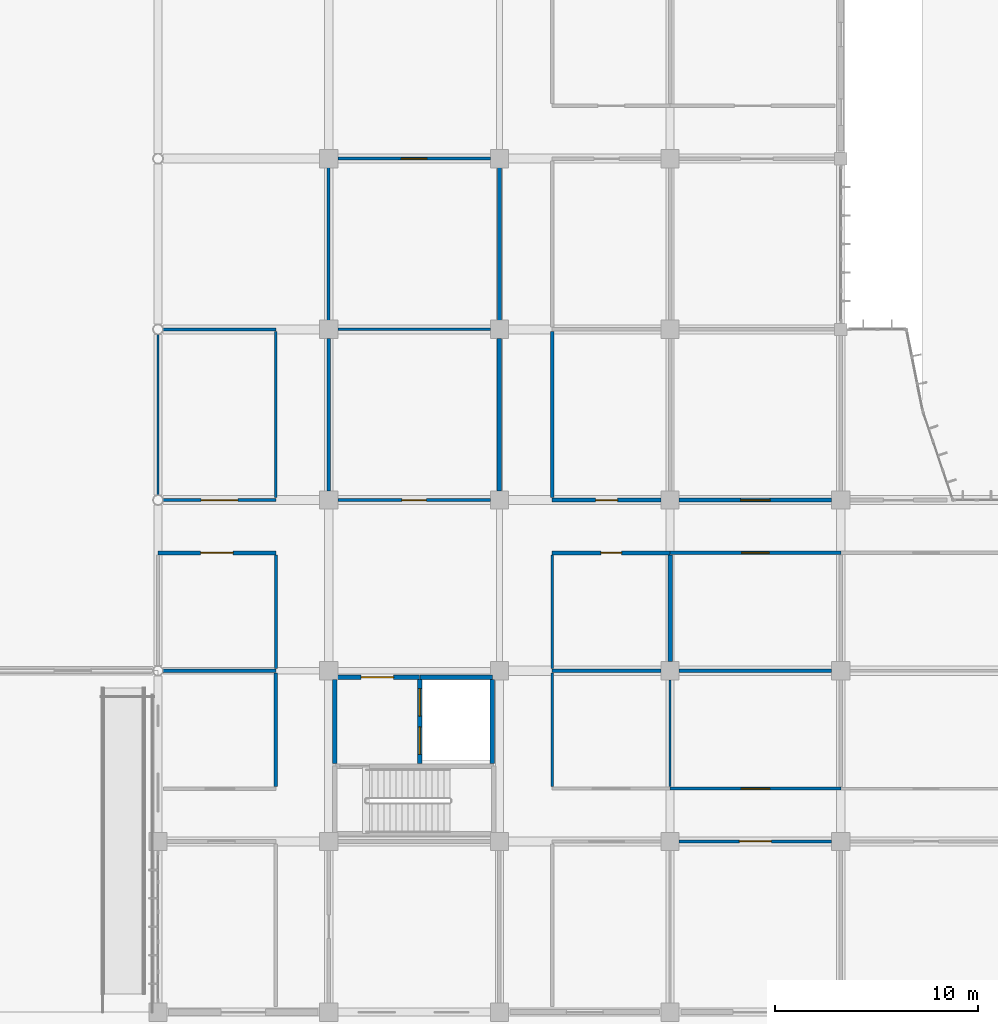
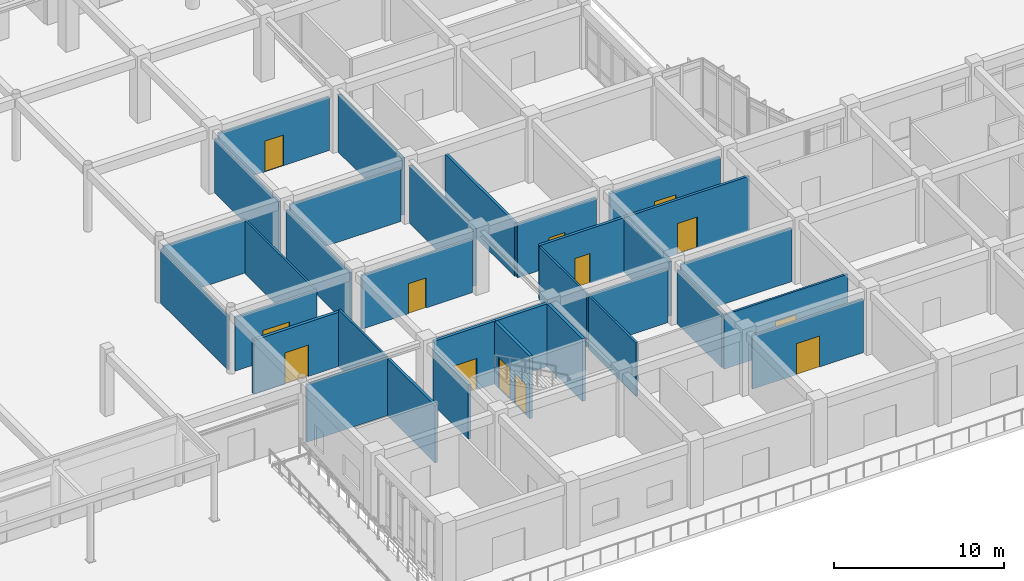
# One storey, part 95 of 138: 33 walls, 13 doors, 13 openings.
"""IFC4 building model written with IfcOpenShell, lengths in metres."""

from ifc_helpers import new_model, si_unit, direction, frame, frame_2d, origin, place, context, subcontext, project, spatial, rectangle, extrude, material, layer, layer_set, type_object, element, fill, save


model = new_model("IFC4")

# Units and contexts
model_context = context("Model", 3, precision=1e-05, world=origin(), true_north=direction((0.0, 1.0)))
body_context = subcontext(model_context, "Body", "Model", "MODEL_VIEW")
ifc_project = project(units=[si_unit("LENGTHUNIT", "METRE"), si_unit("AREAUNIT", "SQUARE_METRE"), si_unit("VOLUMEUNIT", "CUBIC_METRE"), si_unit("PLANEANGLEUNIT", "RADIAN"), si_unit("MASSUNIT", "GRAM", prefix="KILO")], contexts=[model_context])

# Site, building, storey
site_placement = place(None, origin())
site = spatial("IfcSite", under=ifc_project, at=site_placement, CompositionType="ELEMENT")
building_placement = place(site_placement, origin())
building = spatial("IfcBuilding", under=site, at=building_placement, Name="Bramfleet General Hospital", CompositionType="ELEMENT")
storey_placement = place(building_placement, origin())
storey = spatial("IfcBuildingStorey", under=building, at=storey_placement, Name="L00", CompositionType="ELEMENT", Elevation=0.0)

# Walls
ifc_material_1 = material(Name="Concrete C35/45", Category="concrete")
ifc_layer_1 = layer(ifc_material_1, 0.219970703125, Name="WT-IW-01")
ifc_layer_set_1 = layer_set([ifc_layer_1], Name="Concrete C35/45")
wall_type_1 = type_object("IfcWallType", Name="WT-IW-01", PredefinedType="PARTITIONING", material=ifc_layer_set_1)
wall_1_placement = place(storey_placement, frame((109.199951171875, 25.64501953125, 0.0), z_axis=(0.0, 0.0, 1.0), x_axis=(0.0, 1.0, 0.0)))
element("IfcWall", 1, at=wall_1_placement, inside=storey, type_object=wall_type_1, Name="L00 Interior Partition IW-L00-1093", PredefinedType="PARTITIONING", context=body_context, shape_type="SweptSolid", body=[
    extrude(rectangle(XDim=7.510009765625, YDim=0.219970703125, at=frame_2d((3.7548828125, 0.0))), origin(), (0.0, 0.0, 1.0), 4.090087890625),
])
wall_2_placement = place(storey_placement, frame((117.60009765625, 17.2451171875, 0.0), z_axis=(0.0, 0.0, 1.0), x_axis=(0.0, 1.0, 0.0)))
element("IfcWall", 2, at=wall_2_placement, inside=storey, type_object=wall_type_1, Name="L00 Interior Partition IW-L00-1117", PredefinedType="PARTITIONING", context=body_context, shape_type="SweptSolid", body=[
    extrude(rectangle(XDim=5.239990234375, YDim=0.219970703125, at=frame_2d((2.6201171875, 0.0))), origin(), (0.0, 0.0, 1.0), 3.889892578125),
])

# Wall, openings, doors
ifc_layer_2 = layer(ifc_material_1, 0.205078125, Name="WT-IW-02")
ifc_layer_set_2 = layer_set([ifc_layer_2], Name="Concrete C35/45")
wall_type_2 = type_object("IfcWallType", Name="WT-IW-02", PredefinedType="PARTITIONING", material=ifc_layer_set_2)
wall_3_placement = place(storey_placement, frame((105.280029296875, 12.239990234375, 0.0), z_axis=(0.0, 0.0, 1.0), x_axis=(0.0, 1.0, 0.0)))
wall_3 = element("IfcWall", 3, at=wall_3_placement, inside=storey, type_object=wall_type_2, Name="L00 C3 Lobby East Shaft Wall", PredefinedType="PARTITIONING", context=body_context, shape_type="SweptSolid", body=[
    extrude(rectangle(XDim=4.1201171875, YDim=0.205078125, at=frame_2d((2.06005859375, 0.0))), origin(), (0.0, 0.0, 1.0), 4.489990234375),
])
opening_1_placement = place(wall_3_placement, frame((0.445068359375, 0.0, 0.0)))
opening_1 = element("IfcOpeningElement", 4, at=opening_1_placement, cuts=wall_3, Name="Opening LD-FL-01-L00", PredefinedType="OPENING", context=body_context, shape_type="SweptSolid", body=[
    extrude(rectangle(XDim=1.35009765625, YDim=2.199951171875, at=frame_2d((0.675048828125, 1.10009765625))), frame((0.0, 0.112548828125, 0.0), z_axis=(0.0, -1.0, 0.0), x_axis=(1.0, 0.0, 0.0)), (0.0, 0.0, 1.0), 0.22509765625),
])
opening_2_placement = place(wall_3_placement, frame((2.324951171875, 0.0, 0.0)))
opening_2 = element("IfcOpeningElement", 5, at=opening_2_placement, cuts=wall_3, Name="Opening LD-BL-03-L00", PredefinedType="OPENING", context=body_context, shape_type="SweptSolid", body=[
    extrude(rectangle(XDim=1.35009765625, YDim=2.199951171875, at=frame_2d((0.675048828125, 1.10009765625))), frame((0.0, 0.112548828125, 0.0), z_axis=(0.0, -1.0, 0.0), x_axis=(1.0, 0.0, 0.0)), (0.0, 0.0, 1.0), 0.22509765625),
])
ifc_material_2 = material(Name="Brushed stainless steel 1.4301", Category="steel")
door_type_1 = type_object("IfcDoorType", Name="DR-LD-01", OperationType="NOTDEFINED", PredefinedType="DOOR", material=ifc_material_2)
door_1_placement = place(opening_1_placement, origin())
door_1 = element("IfcDoor", 6, at=door_1_placement, inside=storey, type_object=door_type_1, Name="L00 Lift FL-01 Sliding Landing Door", OperationType="SLIDING_TO_LEFT", OverallHeight=2.199951171875, OverallWidth=1.35009765625, PredefinedType="DOOR", context=body_context, shape_type="SweptSolid", body=[
    extrude(rectangle(XDim=1.35009765625, YDim=2.199951171875, at=frame_2d((0.675048828125, 1.10009765625))), frame((0.0, 0.02490234375, 0.0), z_axis=(0.0, -1.0, 0.0), x_axis=(1.0, 0.0, 0.0)), (0.0, 0.0, 1.0), 0.050048828125),
])
fill(opening_1, door_1)
door_2_placement = place(opening_2_placement, origin())
door_2 = element("IfcDoor", 7, at=door_2_placement, inside=storey, type_object=door_type_1, Name="L00 Lift BL-03 Sliding Landing Door", OperationType="SLIDING_TO_LEFT", OverallHeight=2.199951171875, OverallWidth=1.35009765625, PredefinedType="DOOR", context=body_context, shape_type="SweptSolid", body=[
    extrude(rectangle(XDim=1.35009765625, YDim=2.199951171875, at=frame_2d((0.675048828125, 1.10009765625))), frame((0.0, 0.02490234375, 0.0), z_axis=(0.0, -1.0, 0.0), x_axis=(1.0, 0.0, 0.0)), (0.0, 0.0, 1.0), 0.050048828125),
])
fill(opening_2, door_2)

# Walls
wall_4_placement = place(storey_placement, frame((108.85009765625, 12.239990234375, 0.0), z_axis=(0.0, 0.0, 1.0), x_axis=(0.0, 1.0, 0.0)))
element("IfcWall", 8, at=wall_4_placement, inside=storey, type_object=wall_type_2, Name="L00 C3 Lift Shaft East Wall", PredefinedType="PARTITIONING", context=body_context, shape_type="SweptSolid", body=[
    extrude(rectangle(XDim=4.1201171875, YDim=0.205078125, at=frame_2d((2.06005859375, 0.0))), origin(), (0.0, 0.0, 1.0), 4.489990234375),
])
wall_5_placement = place(storey_placement, frame((105.280029296875, 16.47998046875, 0.0), z_axis=(0.0, 0.0, 1.0), x_axis=(1.0, 0.0, 0.0)))
element("IfcWall", 9, at=wall_5_placement, inside=storey, type_object=wall_type_2, Name="L00 C3 Lift Shaft North Wall", PredefinedType="PARTITIONING", context=body_context, shape_type="SweptSolid", body=[
    extrude(rectangle(XDim=3.570068359375, YDim=0.205078125, at=frame_2d((1.78515625, 0.0))), origin(), (0.0, 0.0, 1.0), 4.489990234375),
])
wall_6_placement = place(storey_placement, frame((101.10009765625, 12.239990234375, 0.0), z_axis=(0.0, 0.0, 1.0), x_axis=(0.0, 1.0, 0.0)))
element("IfcWall", 10, at=wall_6_placement, inside=storey, type_object=wall_type_2, Name="L00 C3 Lobby West Compartment Wall", PredefinedType="PARTITIONING", context=body_context, shape_type="SweptSolid", body=[
    extrude(rectangle(XDim=4.1201171875, YDim=0.205078125, at=frame_2d((2.06005859375, 0.0))), origin(), (0.0, 0.0, 1.0), 3.889892578125),
])

# Wall, opening, door
wall_7_placement = place(storey_placement, frame((101.10009765625, 16.47998046875, 0.0), z_axis=(0.0, 0.0, 1.0), x_axis=(1.0, 0.0, 0.0)))
wall_7 = element("IfcWall", 11, at=wall_7_placement, inside=storey, type_object=wall_type_2, Name="L00 C3 Lobby North Compartment Wall", PredefinedType="PARTITIONING", context=body_context, shape_type="SweptSolid", body=[
    extrude(rectangle(XDim=4.179931640625, YDim=0.205078125, at=frame_2d((2.08984375, 0.0))), origin(), (0.0, 0.0, 1.0), 4.489990234375),
])
opening_3_placement = place(wall_7_placement, frame((1.2900390625, 0.0, 0.0)))
opening_3 = element("IfcOpeningElement", 12, at=opening_3_placement, cuts=wall_7, Name="Opening D0022", PredefinedType="OPENING", context=body_context, shape_type="SweptSolid", body=[
    extrude(rectangle(XDim=1.60009765625, YDim=2.25, at=frame_2d((0.800048828125, 1.125))), frame((0.0, 0.112548828125, 0.0), z_axis=(0.0, -1.0, 0.0), x_axis=(1.0, 0.0, 0.0)), (0.0, 0.0, 1.0), 0.22509765625),
])
ifc_material_3 = material(Name="Stainless steel and acoustic timber leaf", Category="steel")
door_type_2 = type_object("IfcDoorType", Name="DR-D-04", OperationType="NOTDEFINED", PredefinedType="DOOR", material=ifc_material_3)
door_3_placement = place(opening_3_placement, origin())
door_3 = element("IfcDoor", 13, at=door_3_placement, inside=storey, type_object=door_type_2, Name="L00 C3 Lobby Fire Door D0022", OperationType="DOUBLE_SWING_LEFT", OverallHeight=2.25, OverallWidth=1.60009765625, PredefinedType="DOOR", context=body_context, shape_type="SweptSolid", body=[
    extrude(rectangle(XDim=1.60009765625, YDim=2.25, at=frame_2d((0.800048828125, 1.125))), frame((0.0, 0.02490234375, 0.0), z_axis=(0.0, -1.0, 0.0), x_axis=(1.0, 0.0, 0.0)), (0.0, 0.0, 1.0), 0.050048828125),
])
fill(opening_3, door_3)

wall_8_placement = place(storey_placement, frame((92.39990234375, 22.60009765625, 0.0), z_axis=(0.0, 0.0, 1.0), x_axis=(1.0, 0.0, 0.0)))
wall_8 = element("IfcWall", 14, at=wall_8_placement, inside=storey, type_object=wall_type_2, Name="L00 Interior Partition IW-L00-0650", PredefinedType="PARTITIONING", context=body_context, shape_type="SweptSolid", body=[
    extrude(rectangle(XDim=5.800048828125, YDim=0.205078125, at=frame_2d((2.89990234375, 0.0))), origin(), (0.0, 0.0, 1.0), 3.889892578125),
])
opening_4_placement = place(wall_8_placement, frame((2.10009765625, 0.0, 0.0)))
opening_4 = element("IfcOpeningElement", 15, at=opening_4_placement, cuts=wall_8, Name="Opening D0516", PredefinedType="OPENING", context=body_context, shape_type="SweptSolid", body=[
    extrude(rectangle(XDim=1.60009765625, YDim=2.25, at=frame_2d((0.800048828125, 1.125))), frame((0.0, 0.112548828125, 0.0), z_axis=(0.0, -1.0, 0.0), x_axis=(1.0, 0.0, 0.0)), (0.0, 0.0, 1.0), 0.22509765625),
])
door_4_placement = place(opening_4_placement, origin())
door_4 = element("IfcDoor", 16, at=door_4_placement, inside=storey, type_object=door_type_2, Name="Hospital Cafe and Garden Dining 1102 Door D0516", OperationType="DOUBLE_SWING_LEFT", OverallHeight=2.25, OverallWidth=1.60009765625, PredefinedType="DOOR", context=body_context, shape_type="SweptSolid", body=[
    extrude(rectangle(XDim=1.60009765625, YDim=2.25, at=frame_2d((0.800048828125, 1.125))), frame((0.0, 0.02490234375, 0.0), z_axis=(0.0, -1.0, 0.0), x_axis=(1.0, 0.0, 0.0)), (0.0, 0.0, 1.0), 0.050048828125),
])
fill(opening_4, door_4)

# Wall
wall_9_placement = place(storey_placement, frame((109.199951171875, 34.044921875, 0.0), z_axis=(0.0, 0.0, 1.0), x_axis=(0.0, 1.0, 0.0)))
element("IfcWall", 17, at=wall_9_placement, inside=storey, type_object=wall_type_2, Name="L00 Interior Partition IW-L00-1094", PredefinedType="PARTITIONING", context=body_context, shape_type="SweptSolid", body=[
    extrude(rectangle(XDim=7.510009765625, YDim=0.205078125, at=frame_2d((3.7548828125, 0.0))), origin(), (0.0, 0.0, 1.0), 4.090087890625),
])

# Wall, opening, door
ifc_layer_3 = layer(ifc_material_1, 0.18994140625, Name="WT-IW-03")
ifc_layer_set_3 = layer_set([ifc_layer_3], Name="Concrete C35/45")
wall_type_3 = type_object("IfcWallType", Name="WT-IW-03", PredefinedType="PARTITIONING", material=ifc_layer_set_3)
wall_10_placement = place(storey_placement, frame((111.800048828125, 22.60009765625, 0.0), z_axis=(0.0, 0.0, 1.0), x_axis=(1.0, 0.0, 0.0)))
wall_10 = element("IfcWall", 18, at=wall_10_placement, inside=storey, type_object=wall_type_3, Name="L00 Interior Partition IW-L00-0651", PredefinedType="PARTITIONING", context=body_context, shape_type="SweptSolid", body=[
    extrude(rectangle(XDim=5.800048828125, YDim=0.18994140625, at=frame_2d((2.89990234375, 0.0))), origin(), (0.0, 0.0, 1.0), 3.889892578125),
])
opening_5_placement = place(wall_10_placement, frame((2.389892578125, 0.0, 0.0)))
opening_5 = element("IfcOpeningElement", 19, at=opening_5_placement, cuts=wall_10, Name="Opening D0533", PredefinedType="OPENING", context=body_context, shape_type="SweptSolid", body=[
    extrude(rectangle(XDim=1.02001953125, YDim=2.1201171875, at=frame_2d((0.510009765625, 1.06005859375))), frame((0.0, 0.10498046875, 0.0), z_axis=(0.0, -1.0, 0.0), x_axis=(1.0, 0.0, 0.0)), (0.0, 0.0, 1.0), 0.2099609375),
])
door_type_3 = type_object("IfcDoorType", Name="DR-D-21", OperationType="NOTDEFINED", PredefinedType="DOOR", material=ifc_material_3)
door_5_placement = place(opening_5_placement, origin())
door_5 = element("IfcDoor", 20, at=door_5_placement, inside=storey, type_object=door_type_3, Name="Outpatient Clinic Room L00-1302 Door D0533", OperationType="SINGLE_SWING_RIGHT", OverallHeight=2.1201171875, OverallWidth=1.02001953125, PredefinedType="DOOR", context=body_context, shape_type="SweptSolid", body=[
    extrude(rectangle(XDim=1.02001953125, YDim=2.1201171875, at=frame_2d((0.510009765625, 1.06005859375))), frame((0.0, 0.02490234375, 0.0), z_axis=(0.0, -1.0, 0.0), x_axis=(1.0, 0.0, 0.0)), (0.0, 0.0, 1.0), 0.050048828125),
])
fill(opening_5, door_5)

# Wall
ifc_layer_4 = layer(ifc_material_1, 0.179931640625, Name="WT-IW-04")
ifc_layer_set_4 = layer_set([ifc_layer_4], Name="Concrete C35/45")
wall_type_4 = type_object("IfcWallType", Name="WT-IW-04", PredefinedType="PARTITIONING", material=ifc_layer_set_4)
wall_11_placement = place(storey_placement, frame((92.64892578125, 16.800048828125, 0.0), z_axis=(0.0, 0.0, 1.0), x_axis=(1.0, 0.0, 0.0)))
element("IfcWall", 21, at=wall_11_placement, inside=storey, type_object=wall_type_4, Name="L00 Interior Partition IW-L00-0629", PredefinedType="PARTITIONING", context=body_context, shape_type="SweptSolid", body=[
    extrude(rectangle(XDim=5.551025390625, YDim=0.179931640625, at=frame_2d((2.775390625, 0.0))), origin(), (0.0, 0.0, 1.0), 4.10009765625),
])

# Wall, opening, door
wall_12_placement = place(storey_placement, frame((117.60009765625, 22.60009765625, 0.0), z_axis=(0.0, 0.0, 1.0), x_axis=(1.0, 0.0, 0.0)))
wall_12 = element("IfcWall", 22, at=wall_12_placement, inside=storey, type_object=wall_type_4, Name="L00 Interior Partition IW-L00-0652", PredefinedType="PARTITIONING", context=body_context, shape_type="SweptSolid", body=[
    extrude(rectangle(XDim=8.39990234375, YDim=0.179931640625, at=frame_2d((4.199951171875, 0.0))), origin(), (0.0, 0.0, 1.0), 3.889892578125),
])
opening_6_placement = place(wall_12_placement, frame((3.52490234375, 0.0, 0.0)))
opening_6 = element("IfcOpeningElement", 23, at=opening_6_placement, cuts=wall_12, Name="Opening D0546", PredefinedType="OPENING", context=body_context, shape_type="SweptSolid", body=[
    extrude(rectangle(XDim=1.35009765625, YDim=2.199951171875, at=frame_2d((0.675048828125, 1.10009765625))), frame((0.0, 0.099853515625, 0.0), z_axis=(0.0, -1.0, 0.0), x_axis=(1.0, 0.0, 0.0)), (0.0, 0.0, 1.0), 0.199951171875),
])
door_type_4 = type_object("IfcDoorType", Name="DR-D-02", OperationType="NOTDEFINED", PredefinedType="DOOR", material=ifc_material_3)
door_6_placement = place(opening_6_placement, origin())
door_6 = element("IfcDoor", 24, at=door_6_placement, inside=storey, type_object=door_type_4, Name="Outpatient Clinic Room L00-1402 Door D0546", OperationType="SINGLE_SWING_LEFT", OverallHeight=2.199951171875, OverallWidth=1.35009765625, PredefinedType="DOOR", context=body_context, shape_type="SweptSolid", body=[
    extrude(rectangle(XDim=1.35009765625, YDim=2.199951171875, at=frame_2d((0.675048828125, 1.10009765625))), frame((0.0, 0.02490234375, 0.0), z_axis=(0.0, -1.0, 0.0), x_axis=(1.0, 0.0, 0.0)), (0.0, 0.0, 1.0), 0.050048828125),
])
fill(opening_6, door_6)

wall_13_placement = place(storey_placement, frame((111.800048828125, 25.199951171875, 0.0), z_axis=(0.0, 0.0, 1.0), x_axis=(1.0, 0.0, 0.0)))
wall_13 = element("IfcWall", 25, at=wall_13_placement, inside=storey, type_object=wall_type_4, Name="L00 Interior Partition IW-L00-0668", PredefinedType="PARTITIONING", context=body_context, shape_type="SweptSolid", body=[
    extrude(rectangle(XDim=5.35498046875, YDim=0.179931640625, at=frame_2d((2.677490234375, 0.0))), origin(), (0.0, 0.0, 1.0), 3.840087890625),
])
opening_7_placement = place(wall_13_placement, frame((2.137451171875, 0.0, 0.0)))
opening_7 = element("IfcOpeningElement", 26, at=opening_7_placement, cuts=wall_13, Name="Opening D0534", PredefinedType="OPENING", context=body_context, shape_type="SweptSolid", body=[
    extrude(rectangle(XDim=1.080078125, YDim=2.1201171875, at=frame_2d((0.5400390625, 1.06005859375))), frame((0.0, 0.099853515625, 0.0), z_axis=(0.0, -1.0, 0.0), x_axis=(1.0, 0.0, 0.0)), (0.0, 0.0, 1.0), 0.199951171875),
])
door_type_5 = type_object("IfcDoorType", Name="DR-D-22", OperationType="NOTDEFINED", PredefinedType="DOOR", material=ifc_material_3)
door_7_placement = place(opening_7_placement, origin())
door_7 = element("IfcDoor", 27, at=door_7_placement, inside=storey, type_object=door_type_5, Name="Diagnostic Ultrasound and Fluoroscopy 1303 Door D0534", OperationType="SINGLE_SWING_LEFT", OverallHeight=2.1201171875, OverallWidth=1.080078125, PredefinedType="DOOR", context=body_context, shape_type="SweptSolid", body=[
    extrude(rectangle(XDim=1.080078125, YDim=2.1201171875, at=frame_2d((0.5400390625, 1.06005859375))), frame((0.0, 0.02490234375, 0.0), z_axis=(0.0, -1.0, 0.0), x_axis=(1.0, 0.0, 0.0)), (0.0, 0.0, 1.0), 0.050048828125),
])
fill(opening_7, door_7)

wall_14_placement = place(storey_placement, frame((118.044921875, 25.199951171875, 0.0), z_axis=(0.0, 0.0, 1.0), x_axis=(1.0, 0.0, 0.0)))
wall_14 = element("IfcWall", 28, at=wall_14_placement, inside=storey, type_object=wall_type_4, Name="L00 Interior Partition IW-L00-0669", PredefinedType="PARTITIONING", context=body_context, shape_type="SweptSolid", body=[
    extrude(rectangle(XDim=7.510009765625, YDim=0.179931640625, at=frame_2d((3.7548828125, 0.0))), origin(), (0.0, 0.0, 1.0), 3.840087890625),
])
opening_8_placement = place(wall_14_placement, frame((3.030029296875, 0.0, 0.0)))
opening_8 = element("IfcOpeningElement", 29, at=opening_8_placement, cuts=wall_14, Name="Opening D0547", PredefinedType="OPENING", context=body_context, shape_type="SweptSolid", body=[
    extrude(rectangle(XDim=1.449951171875, YDim=2.199951171875, at=frame_2d((0.72509765625, 1.10009765625))), frame((0.0, 0.099853515625, 0.0), z_axis=(0.0, -1.0, 0.0), x_axis=(1.0, 0.0, 0.0)), (0.0, 0.0, 1.0), 0.199951171875),
])
door_type_6 = type_object("IfcDoorType", Name="DR-D-03", OperationType="NOTDEFINED", PredefinedType="DOOR", material=ifc_material_3)
door_8_placement = place(opening_8_placement, origin())
door_8 = element("IfcDoor", 30, at=door_8_placement, inside=storey, type_object=door_type_6, Name="Diagnostic Ultrasound and Fluoroscopy 1403 Door D0547", OperationType="SINGLE_SWING_RIGHT", OverallHeight=2.199951171875, OverallWidth=1.449951171875, PredefinedType="DOOR", context=body_context, shape_type="SweptSolid", body=[
    extrude(rectangle(XDim=1.449951171875, YDim=2.199951171875, at=frame_2d((0.72509765625, 1.10009765625))), frame((0.0, 0.02490234375, 0.0), z_axis=(0.0, -1.0, 0.0), x_axis=(1.0, 0.0, 0.0)), (0.0, 0.0, 1.0), 0.050048828125),
])
fill(opening_8, door_8)

# Walls
wall_15_placement = place(storey_placement, frame((98.199951171875, 11.114990234375, 0.0), z_axis=(0.0, 0.0, 1.0), x_axis=(0.0, 1.0, 0.0)))
element("IfcWall", 31, at=wall_15_placement, inside=storey, type_object=wall_type_4, Name="L00 Interior Partition IW-L00-1075", PredefinedType="PARTITIONING", context=body_context, shape_type="SweptSolid", body=[
    extrude(rectangle(XDim=5.570068359375, YDim=0.179931640625, at=frame_2d((2.78515625, 0.0))), origin(), (0.0, 0.0, 1.0), 4.10009765625),
])
wall_16_placement = place(storey_placement, frame((111.800048828125, 25.31494140625, 0.0), z_axis=(0.0, 0.0, 1.0), x_axis=(0.0, 1.0, 0.0)))
element("IfcWall", 32, at=wall_16_placement, inside=storey, type_object=wall_type_4, Name="L00 Interior Partition IW-L00-1102", PredefinedType="PARTITIONING", context=body_context, shape_type="SweptSolid", body=[
    extrude(rectangle(XDim=8.170166015625, YDim=0.179931640625, at=frame_2d((4.0849609375, 0.0))), origin(), (0.0, 0.0, 1.0), 3.840087890625),
])
ifc_material_4 = material(Name="Gypsum plasterboard on acoustic steel studs", Category="steel")
ifc_layer_5 = layer(ifc_material_4, 0.159912109375, Name="WT-IW-06")
ifc_layer_set_5 = layer_set([ifc_layer_5], Name="Gypsum plasterboard on acoustic steel studs")
wall_type_5 = type_object("IfcWallType", Name="WT-IW-06", PredefinedType="PARTITIONING", material=ifc_layer_set_5)
wall_17_placement = place(storey_placement, frame((111.800048828125, 16.800048828125, 0.0), z_axis=(0.0, 0.0, 1.0), x_axis=(1.0, 0.0, 0.0)))
element("IfcWall", 33, at=wall_17_placement, inside=storey, type_object=wall_type_5, Name="L00 Interior Partition IW-L00-0630", PredefinedType="PARTITIONING", context=body_context, shape_type="SweptSolid", body=[
    extrude(rectangle(XDim=5.35498046875, YDim=0.159912109375, at=frame_2d((2.677490234375, 0.0))), origin(), (0.0, 0.0, 1.0), 3.840087890625),
])

# Wall, opening, door
wall_18_placement = place(storey_placement, frame((92.64892578125, 25.199951171875, 0.0), z_axis=(0.0, 0.0, 1.0), x_axis=(1.0, 0.0, 0.0)))
wall_18 = element("IfcWall", 34, at=wall_18_placement, inside=storey, type_object=wall_type_5, Name="L00 Interior Partition IW-L00-0666", PredefinedType="PARTITIONING", context=body_context, shape_type="SweptSolid", body=[
    extrude(rectangle(XDim=5.551025390625, YDim=0.159912109375, at=frame_2d((2.775390625, 0.0))), origin(), (0.0, 0.0, 1.0), 3.840087890625),
])
opening_9_placement = place(wall_18_placement, frame((1.87548828125, 0.0, 0.0)))
opening_9 = element("IfcOpeningElement", 35, at=opening_9_placement, cuts=wall_18, Name="Opening D0517", PredefinedType="OPENING", context=body_context, shape_type="SweptSolid", body=[
    extrude(rectangle(XDim=1.800048828125, YDim=2.25, at=frame_2d((0.89990234375, 1.125))), frame((0.0, 0.08984375, 0.0), z_axis=(0.0, -1.0, 0.0), x_axis=(1.0, 0.0, 0.0)), (0.0, 0.0, 1.0), 0.179931640625),
])
door_type_7 = type_object("IfcDoorType", Name="DR-D-05", OperationType="NOTDEFINED", PredefinedType="DOOR", material=ifc_material_3)
door_9_placement = place(opening_9_placement, origin())
door_9 = element("IfcDoor", 36, at=door_9_placement, inside=storey, type_object=door_type_7, Name="Hospital Cafe and Garden Dining 1103 Door D0517", OperationType="DOUBLE_SWING_RIGHT", OverallHeight=2.25, OverallWidth=1.800048828125, PredefinedType="DOOR", context=body_context, shape_type="SweptSolid", body=[
    extrude(rectangle(XDim=1.800048828125, YDim=2.25, at=frame_2d((0.89990234375, 1.125))), frame((0.0, 0.02490234375, 0.0), z_axis=(0.0, -1.0, 0.0), x_axis=(1.0, 0.0, 0.0)), (0.0, 0.0, 1.0), 0.050048828125),
])
fill(opening_9, door_9)

# Walls
wall_19_placement = place(storey_placement, frame((100.800048828125, 25.64501953125, 0.0), z_axis=(0.0, 0.0, 1.0), x_axis=(0.0, 1.0, 0.0)))
element("IfcWall", 37, at=wall_19_placement, inside=storey, type_object=wall_type_5, Name="L00 Interior Partition IW-L00-1086", PredefinedType="PARTITIONING", context=body_context, shape_type="SweptSolid", body=[
    extrude(rectangle(XDim=7.510009765625, YDim=0.159912109375, at=frame_2d((3.7548828125, 0.0))), origin(), (0.0, 0.0, 1.0), 3.889892578125),
])
ifc_layer_6 = layer(ifc_material_4, 0.14990234375, Name="WT-IW-07")
ifc_layer_set_6 = layer_set([ifc_layer_6], Name="Gypsum plasterboard on acoustic steel studs")
wall_type_6 = type_object("IfcWallType", Name="WT-IW-07", PredefinedType="PARTITIONING", material=ifc_layer_set_6)
wall_20_placement = place(storey_placement, frame((118.044921875, 16.800048828125, 0.0), z_axis=(0.0, 0.0, 1.0), x_axis=(1.0, 0.0, 0.0)))
element("IfcWall", 38, at=wall_20_placement, inside=storey, type_object=wall_type_6, Name="L00 Interior Partition IW-L00-0631", PredefinedType="PARTITIONING", context=body_context, shape_type="SweptSolid", body=[
    extrude(rectangle(XDim=7.510009765625, YDim=0.14990234375, at=frame_2d((3.7548828125, 0.0))), origin(), (0.0, 0.0, 1.0), 3.840087890625),
])

# Wall, opening, door
wall_21_placement = place(storey_placement, frame((101.2451171875, 25.199951171875, 0.0), z_axis=(0.0, 0.0, 1.0), x_axis=(1.0, 0.0, 0.0)))
wall_21 = element("IfcWall", 39, at=wall_21_placement, inside=storey, type_object=wall_type_6, Name="L00 Interior Partition IW-L00-0667", PredefinedType="PARTITIONING", context=body_context, shape_type="SweptSolid", body=[
    extrude(rectangle(XDim=7.509765625, YDim=0.14990234375, at=frame_2d((3.7548828125, 0.0))), origin(), (0.0, 0.0, 1.0), 3.840087890625),
])
opening_10_placement = place(wall_21_placement, frame((3.155029296875, 0.0, 0.0)))
opening_10 = element("IfcOpeningElement", 40, at=opening_10_placement, cuts=wall_21, Name="Opening D0525", PredefinedType="OPENING", context=body_context, shape_type="SweptSolid", body=[
    extrude(rectangle(XDim=1.199951171875, YDim=2.14990234375, at=frame_2d((0.60009765625, 1.074951171875))), frame((0.0, 0.0849609375, 0.0), z_axis=(0.0, -1.0, 0.0), x_axis=(1.0, 0.0, 0.0)), (0.0, 0.0, 1.0), 0.169921875),
])
door_type_8 = type_object("IfcDoorType", Name="DR-D-13", OperationType="NOTDEFINED", PredefinedType="DOOR", material=ifc_material_3)
door_10_placement = place(opening_10_placement, origin())
door_10 = element("IfcDoor", 41, at=door_10_placement, inside=storey, type_object=door_type_8, Name="Hospital Cafe and Garden Dining 1203 Door D0525", OperationType="SINGLE_SWING_RIGHT", OverallHeight=2.14990234375, OverallWidth=1.199951171875, PredefinedType="DOOR", context=body_context, shape_type="SweptSolid", body=[
    extrude(rectangle(XDim=1.199951171875, YDim=2.14990234375, at=frame_2d((0.60009765625, 1.074951171875))), frame((0.0, 0.02490234375, 0.0), z_axis=(0.0, -1.0, 0.0), x_axis=(1.0, 0.0, 0.0)), (0.0, 0.0, 1.0), 0.050048828125),
])
fill(opening_10, door_10)

wall_22_placement = place(storey_placement, frame((101.2451171875, 42.0, 0.0), z_axis=(0.0, 0.0, 1.0), x_axis=(1.0, 0.0, 0.0)))
wall_22 = element("IfcWall", 42, at=wall_22_placement, inside=storey, type_object=wall_type_6, Name="L00 Interior Partition IW-L00-0691", PredefinedType="PARTITIONING", context=body_context, shape_type="SweptSolid", body=[
    extrude(rectangle(XDim=7.509765625, YDim=0.14990234375, at=frame_2d((3.7548828125, 0.0))), origin(), (0.0, 0.0, 1.0), 3.840087890625),
])
opening_11_placement = place(wall_22_placement, frame((3.1298828125, 0.0, 0.0)))
opening_11 = element("IfcOpeningElement", 43, at=opening_11_placement, cuts=wall_22, Name="Opening D0526", PredefinedType="OPENING", context=body_context, shape_type="SweptSolid", body=[
    extrude(rectangle(XDim=1.25, YDim=2.199951171875, at=frame_2d((0.625, 1.10009765625))), frame((0.0, 0.0849609375, 0.0), z_axis=(0.0, -1.0, 0.0), x_axis=(1.0, 0.0, 0.0)), (0.0, 0.0, 1.0), 0.169921875),
])
door_type_9 = type_object("IfcDoorType", Name="DR-D-14", OperationType="NOTDEFINED", PredefinedType="DOOR", material=ifc_material_3)
door_11_placement = place(opening_11_placement, origin())
door_11 = element("IfcDoor", 44, at=door_11_placement, inside=storey, type_object=door_type_9, Name="Hospital Pharmacy Counter and Visitors' Shop Door D0526", OperationType="SINGLE_SWING_LEFT", OverallHeight=2.199951171875, OverallWidth=1.25, PredefinedType="DOOR", context=body_context, shape_type="SweptSolid", body=[
    extrude(rectangle(XDim=1.25, YDim=2.199951171875, at=frame_2d((0.625, 1.10009765625))), frame((0.0, 0.02490234375, 0.0), z_axis=(0.0, -1.0, 0.0), x_axis=(1.0, 0.0, 0.0)), (0.0, 0.0, 1.0), 0.050048828125),
])
fill(opening_11, door_11)

# Wall
wall_23_placement = place(storey_placement, frame((100.800048828125, 34.044921875, 0.0), z_axis=(0.0, 0.0, 1.0), x_axis=(0.0, 1.0, 0.0)))
element("IfcWall", 45, at=wall_23_placement, inside=storey, type_object=wall_type_6, Name="L00 Interior Partition IW-L00-1087", PredefinedType="PARTITIONING", context=body_context, shape_type="SweptSolid", body=[
    extrude(rectangle(XDim=7.510009765625, YDim=0.14990234375, at=frame_2d((3.7548828125, 0.0))), origin(), (0.0, 0.0, 1.0), 3.889892578125),
])

# Wall, opening, door
ifc_layer_7 = layer(ifc_material_4, 0.139892578125, Name="WT-IW-08")
ifc_layer_set_7 = layer_set([ifc_layer_7], Name="Gypsum plasterboard on acoustic steel studs")
wall_type_7 = type_object("IfcWallType", Name="WT-IW-08", PredefinedType="PARTITIONING", material=ifc_layer_set_7)
wall_24_placement = place(storey_placement, frame((118.044921875, 8.39990234375, 0.0), z_axis=(0.0, 0.0, 1.0), x_axis=(1.0, 0.0, 0.0)))
wall_24 = element("IfcWall", 46, at=wall_24_placement, inside=storey, type_object=wall_type_7, Name="L00 Interior Partition IW-L00-0608", PredefinedType="PARTITIONING", context=body_context, shape_type="SweptSolid", body=[
    extrude(rectangle(XDim=7.510009765625, YDim=0.139892578125, at=frame_2d((3.7548828125, 0.0))), origin(), (0.0, 0.0, 1.0), 3.840087890625),
])
opening_12_placement = place(wall_24_placement, frame((2.965087890625, 0.0, 0.0)))
opening_12 = element("IfcOpeningElement", 47, at=opening_12_placement, cuts=wall_24, Name="Opening D0544", PredefinedType="OPENING", context=body_context, shape_type="SweptSolid", body=[
    extrude(rectangle(XDim=1.580078125, YDim=2.219970703125, at=frame_2d((0.7900390625, 1.10986328125))), frame((0.0, 0.079833984375, 0.0), z_axis=(0.0, -1.0, 0.0), x_axis=(1.0, 0.0, 0.0)), (0.0, 0.0, 1.0), 0.159912109375),
])
door_type_10 = type_object("IfcDoorType", Name="DR-D-32", OperationType="NOTDEFINED", PredefinedType="DOOR", material=ifc_material_3)
door_12_placement = place(opening_12_placement, origin())
door_12 = element("IfcDoor", 48, at=door_12_placement, inside=storey, type_object=door_type_10, Name="Outpatient Clinic Room L00-1400 Door D0544", OperationType="DOUBLE_SWING_LEFT", OverallHeight=2.219970703125, OverallWidth=1.580078125, PredefinedType="DOOR", context=body_context, shape_type="SweptSolid", body=[
    extrude(rectangle(XDim=1.580078125, YDim=2.219970703125, at=frame_2d((0.7900390625, 1.10986328125))), frame((0.0, 0.02490234375, 0.0), z_axis=(0.0, -1.0, 0.0), x_axis=(1.0, 0.0, 0.0)), (0.0, 0.0, 1.0), 0.050048828125),
])
fill(opening_12, door_12)

wall_25_placement = place(storey_placement, frame((117.60009765625, 11.0, 0.0), z_axis=(0.0, 0.0, 1.0), x_axis=(1.0, 0.0, 0.0)))
wall_25 = element("IfcWall", 49, at=wall_25_placement, inside=storey, type_object=wall_type_7, Name="L00 Interior Partition IW-L00-0620", PredefinedType="PARTITIONING", context=body_context, shape_type="SweptSolid", body=[
    extrude(rectangle(XDim=8.39990234375, YDim=0.139892578125, at=frame_2d((4.199951171875, 0.0))), origin(), (0.0, 0.0, 1.0), 3.889892578125),
])
opening_13_placement = place(wall_25_placement, frame((3.5, 0.0, 0.0)))
opening_13 = element("IfcOpeningElement", 50, at=opening_13_placement, cuts=wall_25, Name="Opening D0545", PredefinedType="OPENING", context=body_context, shape_type="SweptSolid", body=[
    extrude(rectangle(XDim=1.39990234375, YDim=2.199951171875, at=frame_2d((0.699951171875, 1.10009765625))), frame((0.0, 0.079833984375, 0.0), z_axis=(0.0, -1.0, 0.0), x_axis=(1.0, 0.0, 0.0)), (0.0, 0.0, 1.0), 0.159912109375),
])
door_type_11 = type_object("IfcDoorType", Name="DR-D-01", OperationType="NOTDEFINED", PredefinedType="DOOR", material=ifc_material_3)
door_13_placement = place(opening_13_placement, origin())
door_13 = element("IfcDoor", 51, at=door_13_placement, inside=storey, type_object=door_type_11, Name="Outpatient Clinic Room L00-1401 Door D0545", OperationType="SINGLE_SWING_RIGHT", OverallHeight=2.199951171875, OverallWidth=1.39990234375, PredefinedType="DOOR", context=body_context, shape_type="SweptSolid", body=[
    extrude(rectangle(XDim=1.39990234375, YDim=2.199951171875, at=frame_2d((0.699951171875, 1.10009765625))), frame((0.0, 0.02490234375, 0.0), z_axis=(0.0, -1.0, 0.0), x_axis=(1.0, 0.0, 0.0)), (0.0, 0.0, 1.0), 0.050048828125),
])
fill(opening_13, door_13)

# Walls
wall_26_placement = place(storey_placement, frame((92.64892578125, 33.60009765625, 0.0), z_axis=(0.0, 0.0, 1.0), x_axis=(1.0, 0.0, 0.0)))
element("IfcWall", 52, at=wall_26_placement, inside=storey, type_object=wall_type_7, Name="L00 Interior Partition IW-L00-0680", PredefinedType="PARTITIONING", context=body_context, shape_type="SweptSolid", body=[
    extrude(rectangle(XDim=5.551025390625, YDim=0.139892578125, at=frame_2d((2.775390625, 0.0))), origin(), (0.0, 0.0, 1.0), 3.840087890625),
])
wall_27_placement = place(storey_placement, frame((98.199951171875, 16.9150390625, 0.0), z_axis=(0.0, 0.0, 1.0), x_axis=(0.0, 1.0, 0.0)))
element("IfcWall", 53, at=wall_27_placement, inside=storey, type_object=wall_type_7, Name="L00 Interior Partition IW-L00-1076", PredefinedType="PARTITIONING", context=body_context, shape_type="SweptSolid", body=[
    extrude(rectangle(XDim=5.570068359375, YDim=0.139892578125, at=frame_2d((2.78515625, 0.0))), origin(), (0.0, 0.0, 1.0), 4.10009765625),
])
wall_28_placement = place(storey_placement, frame((111.800048828125, 11.114990234375, 0.0), z_axis=(0.0, 0.0, 1.0), x_axis=(0.0, 1.0, 0.0)))
element("IfcWall", 54, at=wall_28_placement, inside=storey, type_object=wall_type_7, Name="L00 Interior Partition IW-L00-1100", PredefinedType="PARTITIONING", context=body_context, shape_type="SweptSolid", body=[
    extrude(rectangle(XDim=5.570068359375, YDim=0.139892578125, at=frame_2d((2.78515625, 0.0))), origin(), (0.0, 0.0, 1.0), 3.840087890625),
])
ifc_layer_8 = layer(ifc_material_4, 0.1298828125, Name="WT-IW-09")
ifc_layer_set_8 = layer_set([ifc_layer_8], Name="Gypsum plasterboard on acoustic steel studs")
wall_type_8 = type_object("IfcWallType", Name="WT-IW-09", PredefinedType="PARTITIONING", material=ifc_layer_set_8)
wall_29_placement = place(storey_placement, frame((101.2451171875, 33.60009765625, 0.0), z_axis=(0.0, 0.0, 1.0), x_axis=(1.0, 0.0, 0.0)))
element("IfcWall", 55, at=wall_29_placement, inside=storey, type_object=wall_type_8, Name="L00 Interior Partition IW-L00-0681", PredefinedType="PARTITIONING", context=body_context, shape_type="SweptSolid", body=[
    extrude(rectangle(XDim=7.509765625, YDim=0.1298828125, at=frame_2d((3.7548828125, 0.0))), origin(), (0.0, 0.0, 1.0), 3.840087890625),
])
wall_30_placement = place(storey_placement, frame((98.199951171875, 25.31494140625, 0.0), z_axis=(0.0, 0.0, 1.0), x_axis=(0.0, 1.0, 0.0)))
element("IfcWall", 56, at=wall_30_placement, inside=storey, type_object=wall_type_8, Name="L00 Interior Partition IW-L00-1077", PredefinedType="PARTITIONING", context=body_context, shape_type="SweptSolid", body=[
    extrude(rectangle(XDim=8.170166015625, YDim=0.1298828125, at=frame_2d((4.0849609375, 0.0))), origin(), (0.0, 0.0, 1.0), 3.840087890625),
])
wall_31_placement = place(storey_placement, frame((111.800048828125, 16.9150390625, 0.0), z_axis=(0.0, 0.0, 1.0), x_axis=(0.0, 1.0, 0.0)))
element("IfcWall", 57, at=wall_31_placement, inside=storey, type_object=wall_type_8, Name="L00 Interior Partition IW-L00-1101", PredefinedType="PARTITIONING", context=body_context, shape_type="SweptSolid", body=[
    extrude(rectangle(XDim=5.570068359375, YDim=0.1298828125, at=frame_2d((2.78515625, 0.0))), origin(), (0.0, 0.0, 1.0), 3.840087890625),
])
ifc_layer_9 = layer(ifc_material_4, 0.1201171875, Name="WT-IW-10")
ifc_layer_set_9 = layer_set([ifc_layer_9], Name="Gypsum plasterboard on acoustic steel studs")
wall_type_9 = type_object("IfcWallType", Name="WT-IW-10", PredefinedType="PARTITIONING", material=ifc_layer_set_9)
wall_32_placement = place(storey_placement, frame((92.39990234375, 25.448974609375, 0.0), z_axis=(0.0, 0.0, 1.0), x_axis=(0.0, 1.0, 0.0)))
element("IfcWall", 58, at=wall_32_placement, inside=storey, type_object=wall_type_9, Name="L00 Interior Partition IW-L00-1066", PredefinedType="PARTITIONING", context=body_context, shape_type="SweptSolid", body=[
    extrude(rectangle(XDim=7.902099609375, YDim=0.1201171875, at=frame_2d((3.951171875, 0.0))), origin(), (0.0, 0.0, 1.0), 3.889892578125),
])
ifc_layer_10 = layer(ifc_material_4, 0.10009765625, Name="WT-IW-12")
ifc_layer_set_10 = layer_set([ifc_layer_10], Name="Gypsum plasterboard on acoustic steel studs")
wall_type_10 = type_object("IfcWallType", Name="WT-IW-12", PredefinedType="PARTITIONING", material=ifc_layer_set_10)
wall_33_placement = place(storey_placement, frame((117.60009765625, 11.114990234375, 0.0), z_axis=(0.0, 0.0, 1.0), x_axis=(0.0, 1.0, 0.0)))
element("IfcWall", 59, at=wall_33_placement, inside=storey, type_object=wall_type_10, Name="L00 Interior Partition IW-L00-1116", PredefinedType="PARTITIONING", context=body_context, shape_type="SweptSolid", body=[
    extrude(rectangle(XDim=5.239990234375, YDim=0.10009765625, at=frame_2d((2.6201171875, 0.0))), origin(), (0.0, 0.0, 1.0), 3.889892578125),
])

save(model, "model.ifc")
